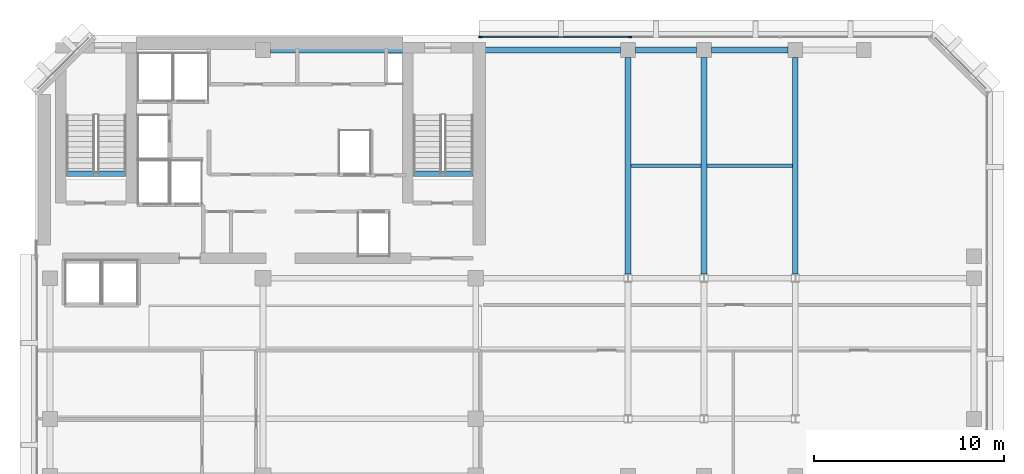
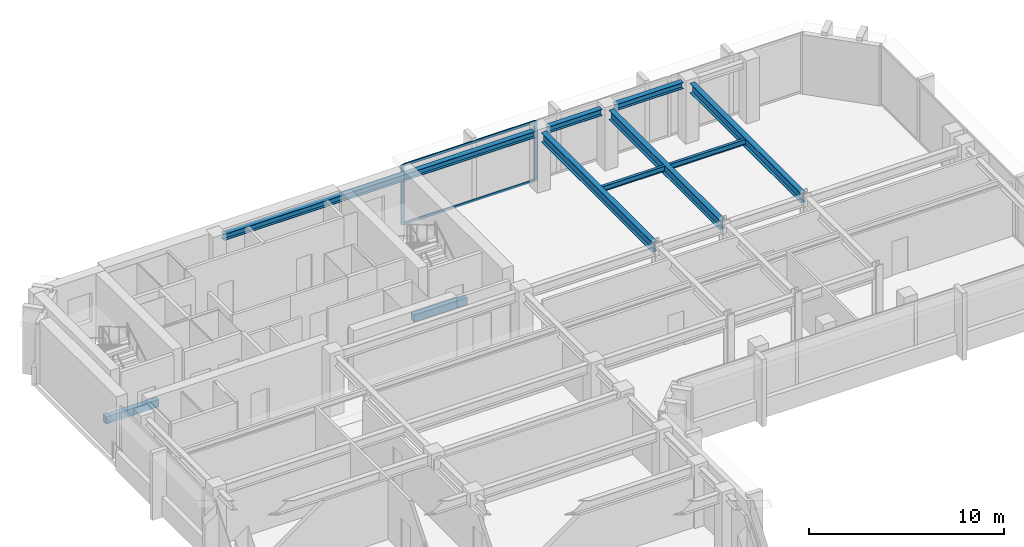
# One storey, part 4 of 12: 10 beams, 4 members, 1 element without a shape of its own.
"""IFC4 building model written with IfcOpenShell, lengths in metres."""

from ifc_helpers import new_model, si_unit, direction, frame, origin, origin_2d, place, context, subcontext, project, spatial, rectangle, i_section, extrude, material, layer, layer_set, material_profile, profile_set, type_object, element, aggregate, save


model = new_model("IFC4")

# Units and contexts
model_context = context("Model", 3, precision=1e-05, world=origin(), true_north=direction((0.0, 1.0)))
body_context = subcontext(model_context, "Body", "Model", "MODEL_VIEW")
ifc_project = project(units=[si_unit("LENGTHUNIT", "METRE"), si_unit("AREAUNIT", "SQUARE_METRE"), si_unit("VOLUMEUNIT", "CUBIC_METRE"), si_unit("PLANEANGLEUNIT", "RADIAN"), si_unit("MASSUNIT", "GRAM", prefix="KILO")], contexts=[model_context])

# Site, building, storey
site_placement = place(None, origin())
site = spatial("IfcSite", under=ifc_project, at=site_placement, CompositionType="ELEMENT")
building_placement = place(site_placement, origin())
building = spatial("IfcBuilding", under=site, at=building_placement, Name="Kefirva Bronze Tower", CompositionType="ELEMENT")
storey_placement = place(building_placement, frame((0.0, 0.0, 268.2900390625)))
storey = spatial("IfcBuildingStorey", under=building, at=storey_placement, Name="L65", CompositionType="ELEMENT", Elevation=268.2900390625)

# Curtain wall, members
ifc_material_1 = material(Name="Bronze anodised aluminium", Category="aluminium")
ifc_layer = layer(ifc_material_1, 0.179931640625, Name="Bronze anodised aluminium")
ifc_layer_set = layer_set([ifc_layer], Name="Bronze anodised aluminium")
curtain_wall_type = type_object("IfcCurtainWallType", Name="Unitised Bronze Ribbon Curtain Wall Zone 3", PredefinedType="USERDEFINED", material=ifc_layer_set)
curtain_wall_placement = place(storey_placement, origin())
curtain_wall = element("IfcCurtainWall", 1, at=curtain_wall_placement, inside=storey, type_object=curtain_wall_type, Name="L65 Curtain Wall 4", ObjectType="UNITISED CURTAIN WALL", PredefinedType="USERDEFINED")
ifc_material_profile_1 = material_profile(ifc_material_1, rectangle(XDim=0.074951171875, YDim=0.179931640625, at=origin_2d()), Name="ALU 75x180")
ifc_profile_set_1 = profile_set([ifc_material_profile_1], Name="Bronze anodised aluminium")
member_type_1 = type_object("IfcMemberType", Name="Bronze Mullion 75x180", PredefinedType="MULLION", material=ifc_profile_set_1)
member_1_placement = place(storey_placement, frame((31.318359375, 45.8798828125, 0.0), z_axis=(0.0, 0.0, 1.0), x_axis=(0.0, -1.0, 0.0)))
member_1 = element("IfcMember", 2, at=member_1_placement, type_object=member_type_1, Name="CW-03 mullion 3", PredefinedType="MULLION", context=body_context, shape_type="SweptSolid", body=[
    extrude(rectangle(XDim=0.074951171875, YDim=0.179931640625, at=origin_2d()), origin(), (0.0, 0.0, 1.0), 3.739990234375),
])
member_2_placement = place(storey_placement, frame((23.4423828125, 45.8798828125, 0.0), z_axis=(0.0, 0.0, 1.0), x_axis=(0.0, -1.0, 0.0)))
member_2 = element("IfcMember", 3, at=member_2_placement, type_object=member_type_1, Name="CW-03 mullion 4", PredefinedType="MULLION", context=body_context, shape_type="SweptSolid", body=[
    extrude(rectangle(XDim=0.074951171875, YDim=0.179931640625, at=origin_2d()), origin(), (0.0, 0.0, 1.0), 3.739990234375),
])
ifc_material_profile_2 = material_profile(ifc_material_1, rectangle(XDim=0.074951171875, YDim=0.14990234375, at=origin_2d()), Name="ALU 75x150")
ifc_profile_set_2 = profile_set([ifc_material_profile_2], Name="Bronze anodised aluminium")
member_type_2 = type_object("IfcMemberType", Name="Bronze Transom 75x150", PredefinedType="USERDEFINED", material=ifc_profile_set_2)
member_3_placement = place(storey_placement, frame((31.28076171875, 45.8798828125, 0.037353515625), z_axis=(-1.0, 0.0, 0.0), x_axis=(0.0, -1.0, 0.0)))
member_3 = element("IfcMember", 4, at=member_3_placement, type_object=member_type_2, Name="CW-03 transom 3.1", ObjectType="TRANSOM", PredefinedType="USERDEFINED", context=body_context, shape_type="SweptSolid", body=[
    extrude(rectangle(XDim=0.074951171875, YDim=0.14990234375, at=origin_2d()), origin(), (0.0, 0.0, 1.0), 7.80078125),
])
member_4_placement = place(storey_placement, frame((31.28076171875, 45.8798828125, 3.702392578125), z_axis=(-1.0, 0.0, 0.0), x_axis=(0.0, -1.0, 0.0)))
member_4 = element("IfcMember", 5, at=member_4_placement, type_object=member_type_2, Name="CW-03 transom 3.2", ObjectType="TRANSOM", PredefinedType="USERDEFINED", context=body_context, shape_type="SweptSolid", body=[
    extrude(rectangle(XDim=0.074951171875, YDim=0.14990234375, at=origin_2d()), origin(), (0.0, 0.0, 1.0), 7.80078125),
])
aggregate(curtain_wall, [member_1, member_2, member_3, member_4])

# Beams
ifc_material_2 = material(Name="Concrete C50/60", Category="concrete")
ifc_material_profile_3 = material_profile(ifc_material_2, rectangle(XDim=0.300048828125, YDim=0.449951171875, at=origin_2d()), Name="RC 300x450")
ifc_profile_set_3 = profile_set([ifc_material_profile_3], Name="Concrete C50/60")
beam_type_1 = type_object("IfcBeamType", Name="RC Stair Trimmer Beam 300x450", PredefinedType="BEAM", material=ifc_profile_set_3)
beam_1_placement = place(storey_placement, frame((1.64501953125, 38.699951171875, -0.22509765625), z_axis=(1.0, 0.0, 0.0), x_axis=(0.0, 1.0, 0.0)))
element("IfcBeam", 6, at=beam_1_placement, inside=storey, type_object=beam_type_1, Name="L65 Stair 1 Landing Trimmer Beam", PredefinedType="BEAM", context=body_context, shape_type="SweptSolid", body=[
    extrude(rectangle(XDim=0.300048828125, YDim=0.449951171875, at=origin_2d()), origin(), (0.0, 0.0, 1.0), 3.14990234375),
])
beam_2_placement = place(storey_placement, frame((19.89501953125, 38.699951171875, -0.22509765625), z_axis=(1.0, 0.0, 0.0), x_axis=(0.0, 1.0, 0.0)))
element("IfcBeam", 7, at=beam_2_placement, inside=storey, type_object=beam_type_1, Name="L65 Stair 2 Landing Trimmer Beam", PredefinedType="BEAM", context=body_context, shape_type="SweptSolid", body=[
    extrude(rectangle(XDim=0.300048828125, YDim=0.449951171875, at=origin_2d()), origin(), (0.0, 0.0, 1.0), 3.159912109375),
])
ifc_material_3 = material(Name="Steel S355", Category="steel")
ifc_material_profile_4 = material_profile(ifc_material_3, i_section(OverallWidth=0.159912109375, OverallDepth=0.330078125, WebThickness=0.007568359375, FlangeThickness=0.011474609375, at=origin_2d()), Name="IPE 330")
ifc_profile_set_4 = profile_set([ifc_material_profile_4], Name="Steel S355")
beam_type_2 = type_object("IfcBeamType", Name="Steel Floor Joist IPE 330", PredefinedType="JOIST", material=ifc_profile_set_4)
beam_3_placement = place(storey_placement, frame((31.35009765625, 39.11376953125, 3.574951171875), z_axis=(1.0, 0.0, 0.0), x_axis=(0.0, 1.0, 0.0)))
element("IfcBeam", 8, at=beam_3_placement, inside=storey, type_object=beam_type_2, Name="L65 JST-L65-31-391", PredefinedType="JOIST", context=body_context, shape_type="SweptSolid", body=[
    extrude(i_section(OverallWidth=0.159912109375, OverallDepth=0.330078125, WebThickness=0.007568359375, FlangeThickness=0.011474609375, at=origin_2d()), origin(), (0.0, 0.0, 1.0), 3.699951171875),
])
beam_4_placement = place(storey_placement, frame((35.35009765625, 39.11376953125, 3.574951171875), z_axis=(1.0, 0.0, 0.0), x_axis=(0.0, 1.0, 0.0)))
element("IfcBeam", 9, at=beam_4_placement, inside=storey, type_object=beam_type_2, Name="L65 JST-L65-35-391", PredefinedType="JOIST", context=body_context, shape_type="SweptSolid", body=[
    extrude(i_section(OverallWidth=0.159912109375, OverallDepth=0.330078125, WebThickness=0.007568359375, FlangeThickness=0.011474609375, at=origin_2d()), origin(), (0.0, 0.0, 1.0), 4.5),
])
ifc_material_profile_5 = material_profile(ifc_material_3, i_section(OverallWidth=0.300048828125, OverallDepth=0.60009765625, WebThickness=0.015380859375, FlangeThickness=0.030029296875, at=origin_2d()), Name="HEB 600")
ifc_profile_set_5 = profile_set([ifc_material_profile_5], Name="Steel S355")
beam_type_3 = type_object("IfcBeamType", Name="Steel Girder HEB 600", PredefinedType="USERDEFINED", material=ifc_profile_set_5)
for number, where, z_axis, x_axis, name in (
    (10, (31.199951171875, 33.41748046875, 3.43994140625), (0.0, 1.0, 0.0), (-1.0, 0.0, 0.0), "L65 BM-L65-NS-312-33"),
    (11, (35.199951171875, 33.41748046875, 3.43994140625), (0.0, 1.0, 0.0), (-1.0, 0.0, 0.0), "L65 BM-L65-NS-352-33"),
    (12, (40.0, 33.41748046875, 3.43994140625), (0.0, 1.0, 0.0), (-1.0, 0.0, 0.0), "L65 BM-L65-NS-400-33"),
):
    element("IfcBeam", number, at=place(storey_placement, frame(where, z_axis=z_axis, x_axis=x_axis)), inside=storey, type_object=beam_type_3, Name=name, ObjectType="GIRDER", PredefinedType="USERDEFINED", context=body_context, shape_type="SweptSolid", body=[
        extrude(i_section(OverallWidth=0.300048828125, OverallDepth=0.60009765625, WebThickness=0.015380859375, FlangeThickness=0.030029296875, at=origin_2d()), origin(), (0.0, 0.0, 1.0), 11.392578125),
    ])
ifc_material_profile_6 = material_profile(ifc_material_3, i_section(OverallWidth=0.300048828125, OverallDepth=0.39990234375, WebThickness=0.013427734375, FlangeThickness=0.02392578125, at=origin_2d()), Name="HEB 400")
ifc_profile_set_6 = profile_set([ifc_material_profile_6], Name="Steel S355")
beam_type_4 = type_object("IfcBeamType", Name="Steel Spandrel HEB 400 Ext", PredefinedType="SPANDREL", material=ifc_profile_set_6)
beam_5_placement = place(storey_placement, frame((12.389892578125, 45.199951171875, 3.5400390625), z_axis=(1.0, 0.0, 0.0), x_axis=(0.0, 1.0, 0.0)))
element("IfcBeam", 13, at=beam_5_placement, inside=storey, type_object=beam_type_4, Name="L65 BM-L65-EW-12-452", PredefinedType="SPANDREL", context=body_context, shape_type="SweptSolid", body=[
    extrude(i_section(OverallWidth=0.300048828125, OverallDepth=0.39990234375, WebThickness=0.013427734375, FlangeThickness=0.02392578125, at=origin_2d()), origin(), (0.0, 0.0, 1.0), 18.420166015625),
])
beam_6_placement = place(storey_placement, frame((31.590087890625, 45.199951171875, 3.5400390625), z_axis=(1.0, 0.0, 0.0), x_axis=(0.0, 1.0, 0.0)))
element("IfcBeam", 14, at=beam_6_placement, inside=storey, type_object=beam_type_4, Name="L65 BM-L65-EW-31-452", PredefinedType="SPANDREL", context=body_context, shape_type="SweptSolid", body=[
    extrude(i_section(OverallWidth=0.300048828125, OverallDepth=0.39990234375, WebThickness=0.013427734375, FlangeThickness=0.02392578125, at=origin_2d()), origin(), (0.0, 0.0, 1.0), 3.219970703125),
])
beam_7_placement = place(storey_placement, frame((35.590087890625, 45.199951171875, 3.5400390625), z_axis=(1.0, 0.0, 0.0), x_axis=(0.0, 1.0, 0.0)))
element("IfcBeam", 15, at=beam_7_placement, inside=storey, type_object=beam_type_4, Name="L65 BM-L65-EW-35-452", PredefinedType="SPANDREL", context=body_context, shape_type="SweptSolid", body=[
    extrude(i_section(OverallWidth=0.300048828125, OverallDepth=0.39990234375, WebThickness=0.013427734375, FlangeThickness=0.02392578125, at=origin_2d()), origin(), (0.0, 0.0, 1.0), 4.02001953125),
])

save(model, "model.ifc")
